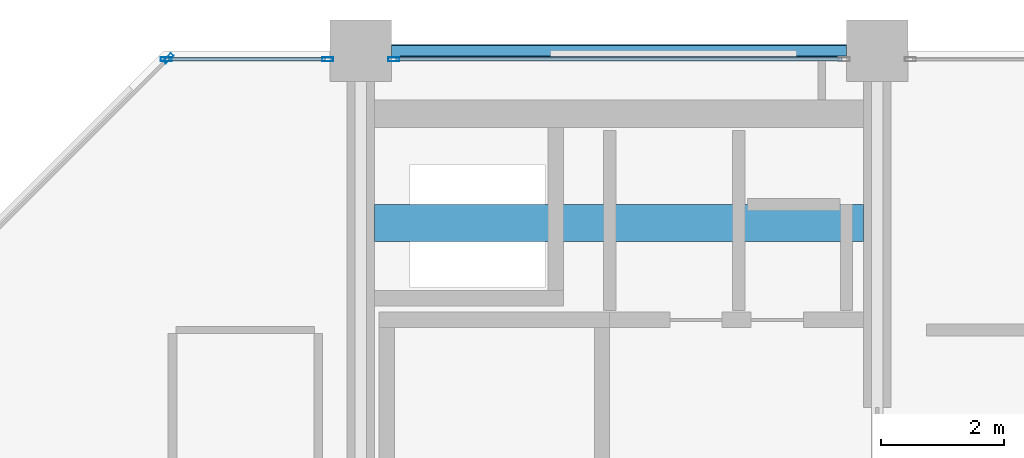
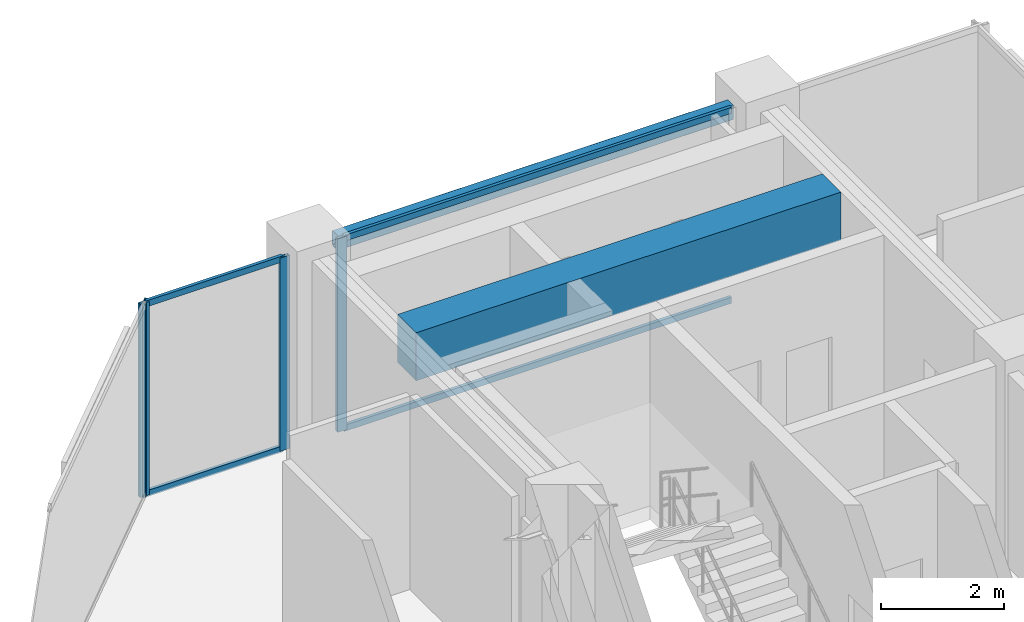
# One storey, part 17 of 25: 8 members, 2 beams, 3 elements without a shape of their own.
"""IFC4 building model written with IfcOpenShell, lengths in metres."""

from ifc_helpers import new_model, si_unit, direction, frame, origin, origin_2d, place, context, subcontext, project, spatial, rectangle, hollow_rectangle, extrude, material, layer, layer_set, material_profile, profile_set, type_object, element, aggregate, save


model = new_model("IFC4")

# Units and contexts
model_context = context("Model", 3, precision=1e-05, world=origin(), true_north=direction((0.0, 1.0)))
body_context = subcontext(model_context, "Body", "Model", "MODEL_VIEW")
ifc_project = project(units=[si_unit("LENGTHUNIT", "METRE"), si_unit("AREAUNIT", "SQUARE_METRE"), si_unit("VOLUMEUNIT", "CUBIC_METRE"), si_unit("PLANEANGLEUNIT", "RADIAN"), si_unit("MASSUNIT", "GRAM", prefix="KILO")], contexts=[model_context])

# Site, building, storey
site_placement = place(None, origin())
site = spatial("IfcSite", under=ifc_project, at=site_placement, CompositionType="ELEMENT")
building_placement = place(site_placement, origin())
building = spatial("IfcBuilding", under=site, at=building_placement, Name="Nerrivon Quay Data Exchange", CompositionType="ELEMENT")
storey_placement = place(building_placement, frame((0.0, 0.0, 224.699951171875)))
storey = spatial("IfcBuildingStorey", under=building, at=storey_placement, Name="L53", CompositionType="ELEMENT", Elevation=224.699951171875)

# Beams
ifc_material_1 = material(Name="Concrete N50 (50 MPa)", Category="concrete")
ifc_material_profile_1 = material_profile(ifc_material_1, rectangle(XDim=0.60009765625, YDim=0.949951171875, at=origin_2d()), Name="RC-CB-600x950")
ifc_profile_set_1 = profile_set([ifc_material_profile_1], Name="Concrete N50 (50 MPa)")
beam_type_1 = type_object("IfcBeamType", Name="BM-CB2-600x950", PredefinedType="LINTEL", material=ifc_profile_set_1)
beam_1_placement = place(storey_placement, frame((8.625, 39.199951171875, 3.35009765625), z_axis=(1.0, 0.0, 0.0), x_axis=(0.0, 1.0, 0.0)))
element("IfcBeam", 1, at=beam_1_placement, inside=storey, type_object=beam_type_1, Name="L53 West Core Coupling Beam", PredefinedType="LINTEL", context=body_context, shape_type="SweptSolid", body=[
    extrude(rectangle(XDim=0.60009765625, YDim=0.949951171875, at=origin_2d()), origin(), (0.0, 0.0, 1.0), 7.949951171875),
])
ifc_material_2 = material(Name="Steel Grade C350L0 (350 MPa)", Category="steel")
ifc_material_profile_2 = material_profile(ifc_material_2, hollow_rectangle(XDim=0.199951171875, YDim=0.300048828125, WallThickness=0.012451171875, InnerFilletRadius=0.018798828125, OuterFilletRadius=0.03125, at=origin_2d()), Name="300x200x12.5RHS")
ifc_profile_set_2 = profile_set([ifc_material_profile_2], Name="Steel Grade C350L0 (350 MPa)")
beam_type_2 = type_object("IfcBeamType", Name="BM-SP3-300x200RHS", PredefinedType="SPANDREL", material=ifc_profile_set_2)
beam_2_placement = place(storey_placement, frame((8.89990234375, 42.0, 3.675048828125), z_axis=(1.0, 0.0, 0.0), x_axis=(0.0, 1.0, 0.0)))
element("IfcBeam", 2, at=beam_2_placement, inside=storey, type_object=beam_type_2, Name="L53 EW Girder Y=42.0 (8.4..16.8)", PredefinedType="SPANDREL", context=body_context, shape_type="SweptSolid", body=[
    extrude(hollow_rectangle(XDim=0.199951171875, YDim=0.300048828125, WallThickness=0.012451171875, InnerFilletRadius=0.018798828125, OuterFilletRadius=0.03125, at=origin_2d()), origin(), (0.0, 0.0, 1.0), 7.400146484375),
])

# Curtain wall, member
ifc_material_3 = material(Name="Anodised aluminium 6063-T6", Category="aluminium")
ifc_layer = layer(ifc_material_3, 0.195068359375)
ifc_layer_set = layer_set([ifc_layer], Name="Anodised aluminium 6063-T6")
curtain_wall_type = type_object("IfcCurtainWallType", Name="CW-SYS-06", PredefinedType="NOTDEFINED", material=ifc_layer_set)
curtain_wall_1_placement = place(storey_placement, origin())
curtain_wall_1 = element("IfcCurtainWall", 3, at=curtain_wall_1_placement, inside=storey, type_object=curtain_wall_type, Name="L53 Unitised Curtain Wall 16", PredefinedType="NOTDEFINED")
ifc_material_profile_3 = material_profile(ifc_material_3, hollow_rectangle(XDim=0.06494140625, YDim=0.179931640625, WallThickness=0.00341796875, at=origin_2d()), Name="ALU-MULL-180x65")
ifc_profile_set_3 = profile_set([ifc_material_profile_3], Name="Anodised aluminium 6063-T6")
member_type_1 = type_object("IfcMemberType", Name="CWM-180x65", PredefinedType="MULLION", material=ifc_profile_set_3)
member_1_placement = place(storey_placement, frame((5.2724609375, 41.87451171875, 0.0), z_axis=(0.0, 0.0, 1.0), x_axis=(-0.707106781187, 0.707106781187, 0.0)))
member_1 = element("IfcMember", 4, at=member_1_placement, type_object=member_type_1, Name="CW06 mullion 2", PredefinedType="MULLION", context=body_context, shape_type="SweptSolid", body=[
    extrude(hollow_rectangle(XDim=0.06494140625, YDim=0.179931640625, WallThickness=0.00341796875, at=origin_2d()), origin(), (0.0, 0.0, 1.0), 3.824951171875),
])
aggregate(curtain_wall_1, [member_1])

# Curtain wall, members
curtain_wall_2_placement = place(storey_placement, origin())
curtain_wall_2 = element("IfcCurtainWall", 5, at=curtain_wall_2_placement, inside=storey, type_object=curtain_wall_type, Name="L53 Unitised Curtain Wall 17", PredefinedType="NOTDEFINED")
member_2_placement = place(storey_placement, frame((5.237548828125, 41.860107421875, 0.0), z_axis=(0.0, 0.0, 1.0), x_axis=(0.0, 1.0, 0.0)))
member_2 = element("IfcMember", 6, at=member_2_placement, type_object=member_type_1, Name="CW06 mullion 1", PredefinedType="MULLION", context=body_context, shape_type="SweptSolid", body=[
    extrude(hollow_rectangle(XDim=0.06494140625, YDim=0.179931640625, WallThickness=0.00341796875, at=origin_2d()), origin(), (0.0, 0.0, 1.0), 3.824951171875),
])
member_3_placement = place(storey_placement, frame((7.862548828125, 41.860107421875, 0.0), z_axis=(0.0, 0.0, 1.0), x_axis=(0.0, 1.0, 0.0)))
member_3 = element("IfcMember", 7, at=member_3_placement, type_object=member_type_1, Name="CW06 mullion 2", PredefinedType="MULLION", context=body_context, shape_type="SweptSolid", body=[
    extrude(hollow_rectangle(XDim=0.06494140625, YDim=0.179931640625, WallThickness=0.00341796875, at=origin_2d()), origin(), (0.0, 0.0, 1.0), 3.824951171875),
])

# Curtain wall, member
curtain_wall_3_placement = place(storey_placement, origin())
curtain_wall_3 = element("IfcCurtainWall", 8, at=curtain_wall_3_placement, inside=storey, type_object=curtain_wall_type, Name="L53 Unitised Curtain Wall 18", PredefinedType="NOTDEFINED")
member_4_placement = place(storey_placement, frame((8.9375, 41.860107421875, 0.0), z_axis=(0.0, 0.0, 1.0), x_axis=(0.0, 1.0, 0.0)))
member_4 = element("IfcMember", 9, at=member_4_placement, type_object=member_type_1, Name="CW06 mullion 1", PredefinedType="MULLION", context=body_context, shape_type="SweptSolid", body=[
    extrude(hollow_rectangle(XDim=0.06494140625, YDim=0.179931640625, WallThickness=0.00341796875, at=origin_2d()), origin(), (0.0, 0.0, 1.0), 3.824951171875),
])

# Member
ifc_material_profile_4 = material_profile(ifc_material_3, hollow_rectangle(XDim=0.06005859375, YDim=0.1201171875, WallThickness=0.003173828125, at=origin_2d()), Name="ALU-TRAN-120x60")
ifc_profile_set_4 = profile_set([ifc_material_profile_4], Name="Anodised aluminium 6063-T6")
member_type_2 = type_object("IfcMemberType", Name="CWT-120x60", PredefinedType="USERDEFINED", material=ifc_profile_set_4)
member_5_placement = place(storey_placement, frame((5.27490234375, 41.860107421875, 0.032470703125), z_axis=(1.0, 0.0, 0.0), x_axis=(0.0, 1.0, 0.0)))
member_5 = element("IfcMember", 10, at=member_5_placement, type_object=member_type_2, Name="CW06 transom 1.1", ObjectType="TRANSOM", PredefinedType="USERDEFINED", context=body_context, shape_type="SweptSolid", body=[
    extrude(hollow_rectangle(XDim=0.06005859375, YDim=0.1201171875, WallThickness=0.003173828125, at=origin_2d()), origin(), (0.0, 0.0, 1.0), 2.550048828125),
])

member_6_placement = place(storey_placement, frame((5.27490234375, 41.860107421875, 3.79248046875), z_axis=(1.0, 0.0, 0.0), x_axis=(0.0, 1.0, 0.0)))
member_6 = element("IfcMember", 11, at=member_6_placement, type_object=member_type_2, Name="CW06 transom 1.2", ObjectType="TRANSOM", PredefinedType="USERDEFINED", context=body_context, shape_type="SweptSolid", body=[
    extrude(hollow_rectangle(XDim=0.06005859375, YDim=0.1201171875, WallThickness=0.003173828125, at=origin_2d()), origin(), (0.0, 0.0, 1.0), 2.550048828125),
])

aggregate(curtain_wall_2, [member_2, member_3, member_5, member_6])

member_7_placement = place(storey_placement, frame((8.97509765625, 41.860107421875, 0.032470703125), z_axis=(1.0, 0.0, 0.0), x_axis=(0.0, 1.0, 0.0)))
member_7 = element("IfcMember", 12, at=member_7_placement, type_object=member_type_2, Name="CW06 transom 1.1", ObjectType="TRANSOM", PredefinedType="USERDEFINED", context=body_context, shape_type="SweptSolid", body=[
    extrude(hollow_rectangle(XDim=0.06005859375, YDim=0.1201171875, WallThickness=0.003173828125, at=origin_2d()), origin(), (0.0, 0.0, 1.0), 7.25),
])

member_8_placement = place(storey_placement, frame((8.97509765625, 41.860107421875, 3.79248046875), z_axis=(1.0, 0.0, 0.0), x_axis=(0.0, 1.0, 0.0)))
member_8 = element("IfcMember", 13, at=member_8_placement, type_object=member_type_2, Name="CW06 transom 1.2", ObjectType="TRANSOM", PredefinedType="USERDEFINED", context=body_context, shape_type="SweptSolid", body=[
    extrude(hollow_rectangle(XDim=0.06005859375, YDim=0.1201171875, WallThickness=0.003173828125, at=origin_2d()), origin(), (0.0, 0.0, 1.0), 7.25),
])

aggregate(curtain_wall_3, [member_4, member_7, member_8])

save(model, "model.ifc")
